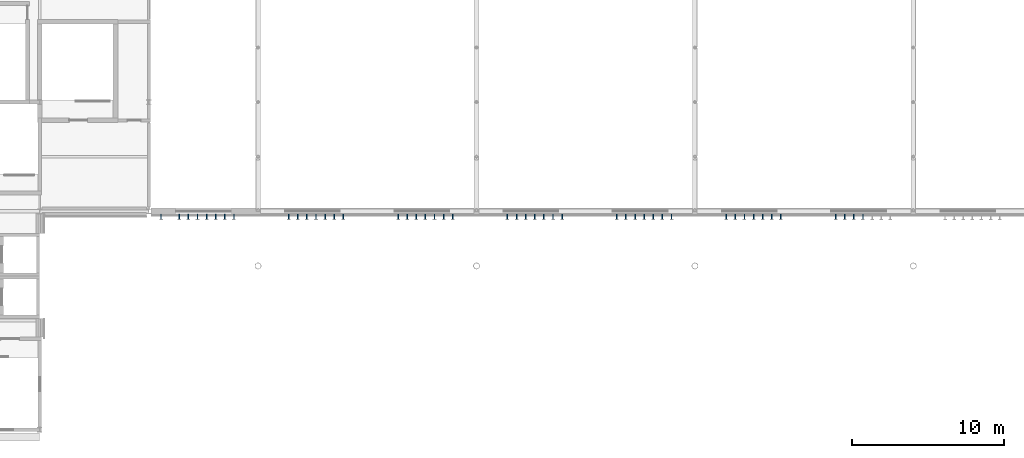
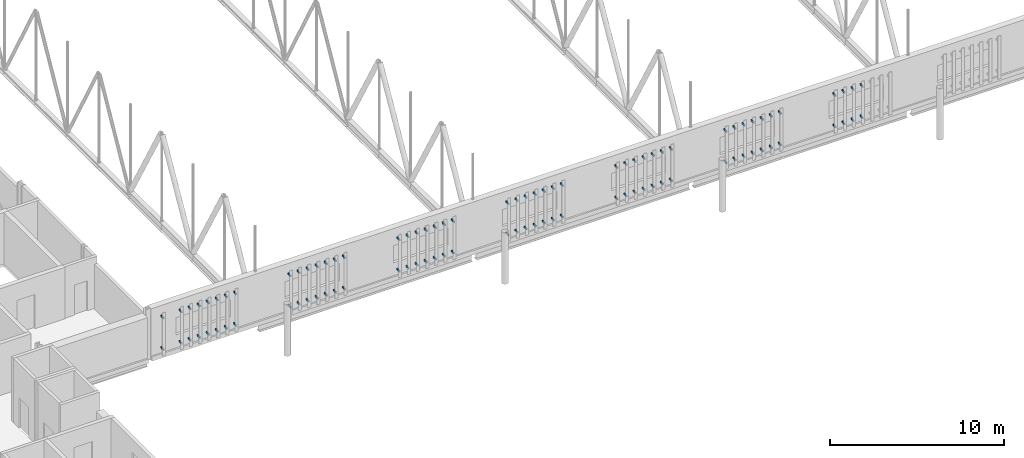
# One storey, part 109 of 142: 94 discrete accessories.
"""IFC4 building model written with IfcOpenShell, lengths in metres."""

import ifcopenshell
import ifcopenshell.guid

model = None  # the IFC model being written
_history = None  # IfcOwnerHistory: only IFC2X3 demands one
_inside = {}  # id of a spatial element -> (the spatial element, [elements in it])
_under = {}  # id of a project, library or spatial element -> (it, [spatial elements below it])
_declared = {}  # id of a project -> (the project, [libraries it declares])
_typed = {}  # id of a type object -> (the type object, [elements of that type])
_made_of = {}  # id of a material, layer set ... -> (it, [elements and type objects made of it])


def new_model(schema):
    """Start an empty IFC model of exactly this schema.

    Asked for "IFC4X3", IfcOpenShell would pick the latest addendum, in which some entities
    have other attributes; the version numbers below select the first issue.
    IFC2X3 requires an IfcOwnerHistory on every rooted entity: one is made here for all.
    """
    global model, _history
    if schema == "IFC4X3":
        model = ifcopenshell.file(schema_version=(4, 3, 0, 0))
    else:
        model = ifcopenshell.file(schema=schema)
    _inside.clear()
    _under.clear()
    _declared.clear()
    _typed.clear()
    _made_of.clear()
    _history = None
    if model.schema == "IFC2X3":
        org = make("IfcOrganization", Name="unknown")
        user = make(
            "IfcPersonAndOrganization",
            ThePerson=make("IfcPerson", FamilyName="unknown"),
            TheOrganization=org,
        )
        app = make(
            "IfcApplication",
            ApplicationDeveloper=org,
            Version="unknown",
            ApplicationFullName="unknown",
            ApplicationIdentifier="unknown",
        )
        _history = make(
            "IfcOwnerHistory",
            OwningUser=user,
            OwningApplication=app,
            ChangeAction="ADDED",
            CreationDate=0,
        )
    return model


def make(cls, **values):
    """One entity of the class cls with the attributes given. An attribute that is None is left unset."""
    return model.create_entity(
        cls, **{name: value for name, value in values.items() if value is not None}
    )


def rooted(cls, **values):
    """An entity with a GlobalId (a new one), such as an element, a storey or a relation."""
    return make(cls, GlobalId=ifcopenshell.guid.new(), OwnerHistory=_history, **values)


def si_unit(unit_type, name, prefix=None):
    """IfcSIUnit, for example si_unit("LENGTHUNIT", "METRE", prefix="MILLI")."""
    return make("IfcSIUnit", UnitType=unit_type, Prefix=prefix, Name=name)


def assignment(units):
    """IfcUnitAssignment: the units of a project."""
    return None if units is None else make("IfcUnitAssignment", Units=units)


def point(xyz):
    """IfcCartesianPoint."""
    return None if xyz is None else make("IfcCartesianPoint", Coordinates=xyz)


def direction(xyz):
    """IfcDirection."""
    return None if xyz is None else make("IfcDirection", DirectionRatios=xyz)


def frame(location, z_axis=None, x_axis=None):
    """IfcAxis2Placement3D, a coordinate frame: its origin and axes. An axis left out is left unset."""
    return make(
        "IfcAxis2Placement3D",
        Location=point(location),
        Axis=direction(z_axis),
        RefDirection=direction(x_axis),
    )


def frame_2d(location, x_axis=None):
    """IfcAxis2Placement2D, a coordinate frame in the plane: its origin and x axis."""
    return make(
        "IfcAxis2Placement2D", Location=point(location), RefDirection=direction(x_axis)
    )


def origin():
    """The frame at (0, 0, 0) with its axes left unset."""
    return frame((0.0, 0.0, 0.0))


def origin_2d():
    """The frame at (0, 0) in the plane with its x axis left unset."""
    return frame_2d((0.0, 0.0))


def place(relative_to, where):
    """IfcLocalPlacement: puts the frame where relative to a parent placement (None: the world)."""
    return make(
        "IfcLocalPlacement", PlacementRelTo=relative_to, RelativePlacement=where
    )


def context(
    kind, dimensions, precision=None, world=None, true_north=None, identifier=None
):
    """IfcGeometricRepresentationContext, for example the 3D "Model" context."""
    return make(
        "IfcGeometricRepresentationContext",
        ContextIdentifier=identifier,
        ContextType=kind,
        CoordinateSpaceDimension=dimensions,
        Precision=precision,
        WorldCoordinateSystem=world,
        TrueNorth=true_north,
    )


def subcontext(parent, identifier, kind, view, scale=None):
    """IfcGeometricRepresentationSubContext, for example "Body" below "Model"."""
    return make(
        "IfcGeometricRepresentationSubContext",
        ContextIdentifier=identifier,
        ContextType=kind,
        ParentContext=parent,
        TargetScale=scale,
        TargetView=view,
    )


def project(units=None, contexts=None):
    """IfcProject with its units and contexts."""
    return rooted(
        "IfcProject",
        Name="project",
        RepresentationContexts=contexts,
        UnitsInContext=assignment(units),
    )


def spatial(cls, under=None, at=None, **own):
    """A site, building, storey or space (cls), placed at a placement, below another one or the project."""
    s = rooted(cls, ObjectPlacement=at, **own)
    if under is not None:
        _under.setdefault(under.id(), (under, []))[1].append(s)
    return s


def profile(cls, at=None, kind="AREA", **sizes):
    """A parametric profile (cls). Its sizes go by their IFC names, for example OverallWidth=200.0."""
    return make(cls, ProfileType=kind, Position=at, **sizes)


def rectangle(**sizes):
    """IfcRectangleProfileDef."""
    return profile("IfcRectangleProfileDef", **sizes)


def extrude(swept, where, along, depth):
    """IfcExtrudedAreaSolid: the profile swept, set in the frame where, extruded along a direction by depth."""
    return make(
        "IfcExtrudedAreaSolid",
        SweptArea=swept,
        Position=where,
        ExtrudedDirection=direction(along),
        Depth=depth,
    )


def shape(context_of_items, identifier, shape_type, items):
    """IfcShapeRepresentation: the items that make up one representation, for example the "Body"."""
    return make(
        "IfcShapeRepresentation",
        ContextOfItems=context_of_items,
        RepresentationIdentifier=identifier,
        RepresentationType=shape_type,
        Items=items,
    )


def material(Name=None, Category=None):
    """IfcMaterial."""
    return make("IfcMaterial", Name=Name, Category=Category)


def layer(
    of_material, thickness, ventilated=None, Name=None, Category=None, Priority=None
):
    """IfcMaterialLayer: one layer of a wall or slab, of a material (None: an air gap)."""
    return make(
        "IfcMaterialLayer",
        Material=of_material,
        LayerThickness=thickness,
        IsVentilated=ventilated,
        Name=Name,
        Category=Category,
        Priority=Priority,
    )


def layer_set(layers, Name=None):
    """IfcMaterialLayerSet."""
    return make("IfcMaterialLayerSet", MaterialLayers=layers, LayerSetName=Name)


def made_of(thing, what):
    """Note that an element or type object is made of a material, layer set ...; save() writes the relation."""
    if what is not None:
        _made_of.setdefault(what.id(), (what, []))[1].append(thing)
    return thing


def type_object(cls, material=None, **own):
    """A type object (cls), such as IfcWallType, which elements share."""
    return made_of(rooted(cls, **own), material)


def element(
    cls,
    number,
    at=None,
    inside=None,
    cuts=None,
    type_object=None,
    material=None,
    context=None,
    identifier="Body",
    shape_type=None,
    held_by="IfcProductDefinitionShape",
    body=None,
    shapes=None,
    **own,
):
    """One element of the class cls, such as IfcWall. Its Tag is "e" and its number.

    at: its placement. inside: the storey or other place that contains it. cuts: it is an
    opening in that element (IfcRelVoidsElement). A single representation is given by context,
    identifier, shape_type and body (its items); several are given by shapes. held_by: the class
    of the entity that holds the representations. save() writes the other relations.
    """
    e = rooted(cls, Tag="e%d" % number, ObjectPlacement=at, **own)
    if body is not None:
        shapes = [shape(context, identifier, shape_type, body)]
    if shapes is not None:
        e.Representation = make(held_by, Representations=shapes)
    if inside is not None:
        _inside.setdefault(inside.id(), (inside, []))[1].append(e)
    if cuts is not None:
        rooted(
            "IfcRelVoidsElement", RelatingBuildingElement=cuts, RelatedOpeningElement=e
        )
    if type_object is not None:
        _typed.setdefault(type_object.id(), (type_object, []))[1].append(e)
    return made_of(e, material)


def aggregate(whole, parts):
    """IfcRelAggregates: a whole, such as a stair, and the parts it consists of."""
    return rooted("IfcRelAggregates", RelatingObject=whole, RelatedObjects=parts)


def save(model, path):
    """Write the relations noted so far, then the file.

    IfcRelAggregates (storeys below a building ...), IfcRelContainedInSpatialStructure (elements
    in a storey), IfcRelDefinesByType, IfcRelAssociatesMaterial and IfcRelDeclares: one each for
    every whole, place, type object, material and project.
    """
    for whole, parts in _under.values():
        aggregate(whole, parts)
    for where, things in _inside.values():
        rooted(
            "IfcRelContainedInSpatialStructure",
            RelatedElements=things,
            RelatingStructure=where,
        )
    for kind, things in _typed.values():
        rooted("IfcRelDefinesByType", RelatedObjects=things, RelatingType=kind)
    for what, things in _made_of.values():
        rooted("IfcRelAssociatesMaterial", RelatedObjects=things, RelatingMaterial=what)
    for by, libraries in _declared.values():
        rooted("IfcRelDeclares", RelatingContext=by, RelatedDefinitions=libraries)
    model.write(path)


model = new_model("IFC4")

# Units and contexts
model_context = context("Model", 3, precision=1e-05, world=origin(), true_north=direction((0.0, 1.0)))
body_context = subcontext(model_context, "Body", "Model", "MODEL_VIEW")
ifc_project = project(units=[si_unit("LENGTHUNIT", "METRE"), si_unit("AREAUNIT", "SQUARE_METRE"), si_unit("VOLUMEUNIT", "CUBIC_METRE"), si_unit("PLANEANGLEUNIT", "RADIAN"), si_unit("MASSUNIT", "GRAM", prefix="KILO")], contexts=[model_context])

# Site, building, storey
site_placement = place(None, origin())
site = spatial("IfcSite", under=ifc_project, at=site_placement, CompositionType="ELEMENT")
building_placement = place(site_placement, origin())
building = spatial("IfcBuilding", under=site, at=building_placement, Name="Kupolbacken Congress Centre", CompositionType="ELEMENT")
storey_placement = place(building_placement, frame((0.0, 0.0, 14.39990234375)))
storey = spatial("IfcBuildingStorey", under=building, at=storey_placement, Name="L04", CompositionType="ELEMENT", Elevation=14.39990234375)

# Discrete accessories
ifc_material = material(Name="Steel S355", Category="steel")
ifc_layer = layer(ifc_material, 0.011962890625)
ifc_layer_set = layer_set([ifc_layer], Name="Steel S355")
discrete_accessory_type = type_object("IfcDiscreteAccessoryType", Name="BK1 bracket 150 x 150 x 12", PredefinedType="BRACKET", material=ifc_layer_set)
for number, where, z_axis, x_axis, name in (
    (1, (87.200439453125, 42.840087890625, 0.650146484375), (0.0, 0.0, 1.0), (1.0, 0.0, 0.0), "E/brise/S/L04/439/B01/BR1"),
    (2, (87.200439453125, 42.840087890625, 2.85009765625), (0.0, 0.0, 1.0), (1.0, 0.0, 0.0), "E/brise/S/L04/439/B01/BR2"),
    (3, (88.402587890625, 42.840087890625, 0.650146484375), (0.0, 0.0, 1.0), (1.0, 0.0, 0.0), "E/brise/S/L04/439/B03/BR1"),
    (4, (88.402587890625, 42.840087890625, 2.85009765625), (0.0, 0.0, 1.0), (1.0, 0.0, 0.0), "E/brise/S/L04/439/B03/BR2"),
    (5, (89.003662109375, 42.840087890625, 0.650146484375), (0.0, 0.0, 1.0), (1.0, 0.0, 0.0), "E/brise/S/L04/439/B04/BR1"),
    (6, (89.003662109375, 42.840087890625, 2.85009765625), (0.0, 0.0, 1.0), (1.0, 0.0, 0.0), "E/brise/S/L04/439/B04/BR2"),
    (7, (89.604736328125, 42.840087890625, 0.650146484375), (0.0, 0.0, 1.0), (1.0, 0.0, 0.0), "E/brise/S/L04/439/B05/BR1"),
    (8, (89.604736328125, 42.840087890625, 2.85009765625), (0.0, 0.0, 1.0), (1.0, 0.0, 0.0), "E/brise/S/L04/439/B05/BR2"),
    (9, (90.205810546875, 42.840087890625, 0.650146484375), (0.0, 0.0, 1.0), (1.0, 0.0, 0.0), "E/brise/S/L04/439/B06/BR1"),
    (10, (90.205810546875, 42.840087890625, 2.85009765625), (0.0, 0.0, 1.0), (1.0, 0.0, 0.0), "E/brise/S/L04/439/B06/BR2"),
    (11, (90.806884765625, 42.840087890625, 0.650146484375), (0.0, 0.0, 1.0), (1.0, 0.0, 0.0), "E/brise/S/L04/439/B07/BR1"),
    (12, (90.806884765625, 42.840087890625, 2.85009765625), (0.0, 0.0, 1.0), (1.0, 0.0, 0.0), "E/brise/S/L04/439/B07/BR2"),
    (13, (91.407958984375, 42.840087890625, 0.650146484375), (0.0, 0.0, 1.0), (1.0, 0.0, 0.0), "E/brise/S/L04/439/B08/BR1"),
    (14, (91.407958984375, 42.840087890625, 2.85009765625), (0.0, 0.0, 1.0), (1.0, 0.0, 0.0), "E/brise/S/L04/439/B08/BR2"),
    (15, (92.009033203125, 42.840087890625, 0.650146484375), (0.0, 0.0, 1.0), (1.0, 0.0, 0.0), "E/brise/S/L04/439/B09/BR1"),
    (16, (92.009033203125, 42.840087890625, 2.85009765625), (0.0, 0.0, 1.0), (1.0, 0.0, 0.0), "E/brise/S/L04/439/B09/BR2"),
    (17, (95.615234375, 42.840087890625, 0.650146484375), (0.0, 0.0, 1.0), (1.0, 0.0, 0.0), "E/brise/S/L04/439/B15/BR1"),
    (18, (95.615234375, 42.840087890625, 2.85009765625), (0.0, 0.0, 1.0), (1.0, 0.0, 0.0), "E/brise/S/L04/439/B15/BR2"),
    (19, (96.21630859375, 42.840087890625, 0.650146484375), (0.0, 0.0, 1.0), (1.0, 0.0, 0.0), "E/brise/S/L04/439/B16/BR1"),
    (20, (96.21630859375, 42.840087890625, 2.85009765625), (0.0, 0.0, 1.0), (1.0, 0.0, 0.0), "E/brise/S/L04/439/B16/BR2"),
    (21, (96.8173828125, 42.840087890625, 0.650146484375), (0.0, 0.0, 1.0), (1.0, 0.0, 0.0), "E/brise/S/L04/439/B17/BR1"),
    (22, (96.8173828125, 42.840087890625, 2.85009765625), (0.0, 0.0, 1.0), (1.0, 0.0, 0.0), "E/brise/S/L04/439/B17/BR2"),
    (23, (97.41845703125, 42.840087890625, 0.650146484375), (0.0, 0.0, 1.0), (1.0, 0.0, 0.0), "E/brise/S/L04/439/B18/BR1"),
    (24, (97.41845703125, 42.840087890625, 2.85009765625), (0.0, 0.0, 1.0), (1.0, 0.0, 0.0), "E/brise/S/L04/439/B18/BR2"),
    (25, (98.01953125, 42.840087890625, 0.650146484375), (0.0, 0.0, 1.0), (1.0, 0.0, 0.0), "E/brise/S/L04/439/B19/BR1"),
    (26, (98.01953125, 42.840087890625, 2.85009765625), (0.0, 0.0, 1.0), (1.0, 0.0, 0.0), "E/brise/S/L04/439/B19/BR2"),
    (27, (98.62060546875, 42.840087890625, 0.650146484375), (0.0, 0.0, 1.0), (1.0, 0.0, 0.0), "E/brise/S/L04/439/B20/BR1"),
    (28, (98.62060546875, 42.840087890625, 2.85009765625), (0.0, 0.0, 1.0), (1.0, 0.0, 0.0), "E/brise/S/L04/439/B20/BR2"),
    (29, (99.2216796875, 42.840087890625, 0.650146484375), (0.0, 0.0, 1.0), (1.0, 0.0, 0.0), "E/brise/S/L04/439/B21/BR1"),
    (30, (99.2216796875, 42.840087890625, 2.85009765625), (0.0, 0.0, 1.0), (1.0, 0.0, 0.0), "E/brise/S/L04/439/B21/BR2"),
    (31, (102.827880859375, 42.840087890625, 0.650146484375), (0.0, 0.0, 1.0), (1.0, 0.0, 0.0), "E/brise/S/L04/439/B27/BR1"),
    (32, (102.827880859375, 42.840087890625, 2.85009765625), (0.0, 0.0, 1.0), (1.0, 0.0, 0.0), "E/brise/S/L04/439/B27/BR2"),
    (33, (103.428955078125, 42.840087890625, 0.650146484375), (0.0, 0.0, 1.0), (1.0, 0.0, 0.0), "E/brise/S/L04/439/B28/BR1"),
    (34, (103.428955078125, 42.840087890625, 2.85009765625), (0.0, 0.0, 1.0), (1.0, 0.0, 0.0), "E/brise/S/L04/439/B28/BR2"),
    (35, (104.030029296875, 42.840087890625, 0.650146484375), (0.0, 0.0, 1.0), (1.0, 0.0, 0.0), "E/brise/S/L04/439/B29/BR1"),
    (36, (104.030029296875, 42.840087890625, 2.85009765625), (0.0, 0.0, 1.0), (1.0, 0.0, 0.0), "E/brise/S/L04/439/B29/BR2"),
    (37, (104.631103515625, 42.840087890625, 0.650146484375), (0.0, 0.0, 1.0), (1.0, 0.0, 0.0), "E/brise/S/L04/439/B30/BR1"),
    (38, (104.631103515625, 42.840087890625, 2.85009765625), (0.0, 0.0, 1.0), (1.0, 0.0, 0.0), "E/brise/S/L04/439/B30/BR2"),
    (39, (105.232177734375, 42.840087890625, 0.650146484375), (0.0, 0.0, 1.0), (1.0, 0.0, 0.0), "E/brise/S/L04/439/B31/BR1"),
    (40, (105.232177734375, 42.840087890625, 2.85009765625), (0.0, 0.0, 1.0), (1.0, 0.0, 0.0), "E/brise/S/L04/439/B31/BR2"),
    (41, (105.833251953125, 42.840087890625, 0.650146484375), (0.0, 0.0, 1.0), (1.0, 0.0, 0.0), "E/brise/S/L04/439/B32/BR1"),
    (42, (105.833251953125, 42.840087890625, 2.85009765625), (0.0, 0.0, 1.0), (1.0, 0.0, 0.0), "E/brise/S/L04/439/B32/BR2"),
    (43, (106.434326171875, 42.840087890625, 0.650146484375), (0.0, 0.0, 1.0), (1.0, 0.0, 0.0), "E/brise/S/L04/439/B33/BR1"),
    (44, (106.434326171875, 42.840087890625, 2.85009765625), (0.0, 0.0, 1.0), (1.0, 0.0, 0.0), "E/brise/S/L04/439/B33/BR2"),
    (45, (110.04052734375, 42.840087890625, 0.650146484375), (0.0, 0.0, 1.0), (1.0, 0.0, 0.0), "E/brise/S/L04/439/B39/BR1"),
    (46, (110.04052734375, 42.840087890625, 2.85009765625), (0.0, 0.0, 1.0), (1.0, 0.0, 0.0), "E/brise/S/L04/439/B39/BR2"),
    (47, (110.6416015625, 42.840087890625, 0.650146484375), (0.0, 0.0, 1.0), (1.0, 0.0, 0.0), "E/brise/S/L04/439/B40/BR1"),
    (48, (110.6416015625, 42.840087890625, 2.85009765625), (0.0, 0.0, 1.0), (1.0, 0.0, 0.0), "E/brise/S/L04/439/B40/BR2"),
    (49, (111.24267578125, 42.840087890625, 0.650146484375), (0.0, 0.0, 1.0), (1.0, 0.0, 0.0), "E/brise/S/L04/439/B41/BR1"),
    (50, (111.24267578125, 42.840087890625, 2.85009765625), (0.0, 0.0, 1.0), (1.0, 0.0, 0.0), "E/brise/S/L04/439/B41/BR2"),
    (51, (111.84375, 42.840087890625, 0.650146484375), (0.0, 0.0, 1.0), (1.0, 0.0, 0.0), "E/brise/S/L04/439/B42/BR1"),
    (52, (111.84375, 42.840087890625, 2.85009765625), (0.0, 0.0, 1.0), (1.0, 0.0, 0.0), "E/brise/S/L04/439/B42/BR2"),
    (53, (112.44482421875, 42.840087890625, 0.650146484375), (0.0, 0.0, 1.0), (1.0, 0.0, 0.0), "E/brise/S/L04/439/B43/BR1"),
    (54, (112.44482421875, 42.840087890625, 2.85009765625), (0.0, 0.0, 1.0), (1.0, 0.0, 0.0), "E/brise/S/L04/439/B43/BR2"),
    (55, (113.0458984375, 42.840087890625, 0.650146484375), (0.0, 0.0, 1.0), (1.0, 0.0, 0.0), "E/brise/S/L04/439/B44/BR1"),
    (56, (113.0458984375, 42.840087890625, 2.85009765625), (0.0, 0.0, 1.0), (1.0, 0.0, 0.0), "E/brise/S/L04/439/B44/BR2"),
    (57, (113.646728515625, 42.840087890625, 0.650146484375), (0.0, 0.0, 1.0), (1.0, 0.0, 0.0), "E/brise/S/L04/439/B45/BR1"),
    (58, (113.646728515625, 42.840087890625, 2.85009765625), (0.0, 0.0, 1.0), (1.0, 0.0, 0.0), "E/brise/S/L04/439/B45/BR2"),
    (59, (117.253173828125, 42.840087890625, 0.650146484375), (0.0, 0.0, 1.0), (1.0, 0.0, 0.0), "E/brise/S/L04/439/B51/BR1"),
    (60, (117.253173828125, 42.840087890625, 2.85009765625), (0.0, 0.0, 1.0), (1.0, 0.0, 0.0), "E/brise/S/L04/439/B51/BR2"),
    (61, (117.854248046875, 42.840087890625, 0.650146484375), (0.0, 0.0, 1.0), (1.0, 0.0, 0.0), "E/brise/S/L04/439/B52/BR1"),
    (62, (117.854248046875, 42.840087890625, 2.85009765625), (0.0, 0.0, 1.0), (1.0, 0.0, 0.0), "E/brise/S/L04/439/B52/BR2"),
    (63, (118.455322265625, 42.840087890625, 0.650146484375), (0.0, 0.0, 1.0), (1.0, 0.0, 0.0), "E/brise/S/L04/439/B53/BR1"),
    (64, (118.455322265625, 42.840087890625, 2.85009765625), (0.0, 0.0, 1.0), (1.0, 0.0, 0.0), "E/brise/S/L04/439/B53/BR2"),
    (65, (119.056396484375, 42.840087890625, 0.650146484375), (0.0, 0.0, 1.0), (1.0, 0.0, 0.0), "E/brise/S/L04/439/B54/BR1"),
    (66, (119.056396484375, 42.840087890625, 2.85009765625), (0.0, 0.0, 1.0), (1.0, 0.0, 0.0), "E/brise/S/L04/439/B54/BR2"),
    (67, (119.657470703125, 42.840087890625, 0.650146484375), (0.0, 0.0, 1.0), (1.0, 0.0, 0.0), "E/brise/S/L04/439/B55/BR1"),
    (68, (119.657470703125, 42.840087890625, 2.85009765625), (0.0, 0.0, 1.0), (1.0, 0.0, 0.0), "E/brise/S/L04/439/B55/BR2"),
    (69, (120.25830078125, 42.840087890625, 0.650146484375), (0.0, 0.0, 1.0), (1.0, 0.0, 0.0), "E/brise/S/L04/439/B56/BR1"),
    (70, (120.25830078125, 42.840087890625, 2.85009765625), (0.0, 0.0, 1.0), (1.0, 0.0, 0.0), "E/brise/S/L04/439/B56/BR2"),
    (71, (120.859375, 42.840087890625, 0.650146484375), (0.0, 0.0, 1.0), (1.0, 0.0, 0.0), "E/brise/S/L04/439/B57/BR1"),
    (72, (120.859375, 42.840087890625, 2.85009765625), (0.0, 0.0, 1.0), (1.0, 0.0, 0.0), "E/brise/S/L04/439/B57/BR2"),
    (73, (124.4658203125, 42.840087890625, 0.650146484375), (0.0, 0.0, 1.0), (1.0, 0.0, 0.0), "E/brise/S/L04/439/B63/BR1"),
    (74, (124.4658203125, 42.840087890625, 2.85009765625), (0.0, 0.0, 1.0), (1.0, 0.0, 0.0), "E/brise/S/L04/439/B63/BR2"),
    (75, (125.06689453125, 42.840087890625, 0.650146484375), (0.0, 0.0, 1.0), (1.0, 0.0, 0.0), "E/brise/S/L04/439/B64/BR1"),
    (76, (125.06689453125, 42.840087890625, 2.85009765625), (0.0, 0.0, 1.0), (1.0, 0.0, 0.0), "E/brise/S/L04/439/B64/BR2"),
    (77, (125.66796875, 42.840087890625, 0.650146484375), (0.0, 0.0, 1.0), (1.0, 0.0, 0.0), "E/brise/S/L04/439/B65/BR1"),
    (78, (125.66796875, 42.840087890625, 2.85009765625), (0.0, 0.0, 1.0), (1.0, 0.0, 0.0), "E/brise/S/L04/439/B65/BR2"),
    (79, (126.26904296875, 42.840087890625, 0.650146484375), (0.0, 0.0, 1.0), (1.0, 0.0, 0.0), "E/brise/S/L04/439/B66/BR1"),
    (80, (126.26904296875, 42.840087890625, 2.85009765625), (0.0, 0.0, 1.0), (1.0, 0.0, 0.0), "E/brise/S/L04/439/B66/BR2"),
    (81, (126.8701171875, 42.840087890625, 0.650146484375), (0.0, 0.0, 1.0), (1.0, 0.0, 0.0), "E/brise/S/L04/439/B67/BR1"),
    (82, (126.8701171875, 42.840087890625, 2.85009765625), (0.0, 0.0, 1.0), (1.0, 0.0, 0.0), "E/brise/S/L04/439/B67/BR2"),
    (83, (127.470947265625, 42.840087890625, 0.650146484375), (0.0, 0.0, 1.0), (1.0, 0.0, 0.0), "E/brise/S/L04/439/B68/BR1"),
    (84, (127.470947265625, 42.840087890625, 2.85009765625), (0.0, 0.0, 1.0), (1.0, 0.0, 0.0), "E/brise/S/L04/439/B68/BR2"),
    (85, (128.072021484375, 42.840087890625, 0.650146484375), (0.0, 0.0, 1.0), (1.0, 0.0, 0.0), "E/brise/S/L04/439/B69/BR1"),
    (86, (128.072021484375, 42.840087890625, 2.85009765625), (0.0, 0.0, 1.0), (1.0, 0.0, 0.0), "E/brise/S/L04/439/B69/BR2"),
    (87, (131.678466796875, 42.840087890625, 0.650146484375), (0.0, 0.0, 1.0), (1.0, 0.0, 0.0), "E/brise/S/L04/439/B75/BR1"),
    (88, (131.678466796875, 42.840087890625, 2.85009765625), (0.0, 0.0, 1.0), (1.0, 0.0, 0.0), "E/brise/S/L04/439/B75/BR2"),
    (89, (132.279541015625, 42.840087890625, 0.650146484375), (0.0, 0.0, 1.0), (1.0, 0.0, 0.0), "E/brise/S/L04/439/B76/BR1"),
    (90, (132.279541015625, 42.840087890625, 2.85009765625), (0.0, 0.0, 1.0), (1.0, 0.0, 0.0), "E/brise/S/L04/439/B76/BR2"),
    (91, (132.880615234375, 42.840087890625, 0.650146484375), (0.0, 0.0, 1.0), (1.0, 0.0, 0.0), "E/brise/S/L04/439/B77/BR1"),
    (92, (132.880615234375, 42.840087890625, 2.85009765625), (0.0, 0.0, 1.0), (1.0, 0.0, 0.0), "E/brise/S/L04/439/B77/BR2"),
    (93, (133.481689453125, 42.840087890625, 0.650146484375), (0.0, 0.0, 1.0), (1.0, 0.0, 0.0), "E/brise/S/L04/439/B78/BR1"),
    (94, (133.481689453125, 42.840087890625, 2.85009765625), (0.0, 0.0, 1.0), (1.0, 0.0, 0.0), "E/brise/S/L04/439/B78/BR2"),
):
    element("IfcDiscreteAccessory", number, at=place(storey_placement, frame(where, z_axis=z_axis, x_axis=x_axis)), inside=storey, type_object=discrete_accessory_type, Name=name, PredefinedType="BRACKET", context=body_context, shape_type="SweptSolid", body=[
        extrude(rectangle(XDim=0.06005859375, YDim=0.31005859375, at=origin_2d()), origin(), (0.0, 0.0, 1.0), 0.10009765625),
    ])

save(model, "model.ifc")
